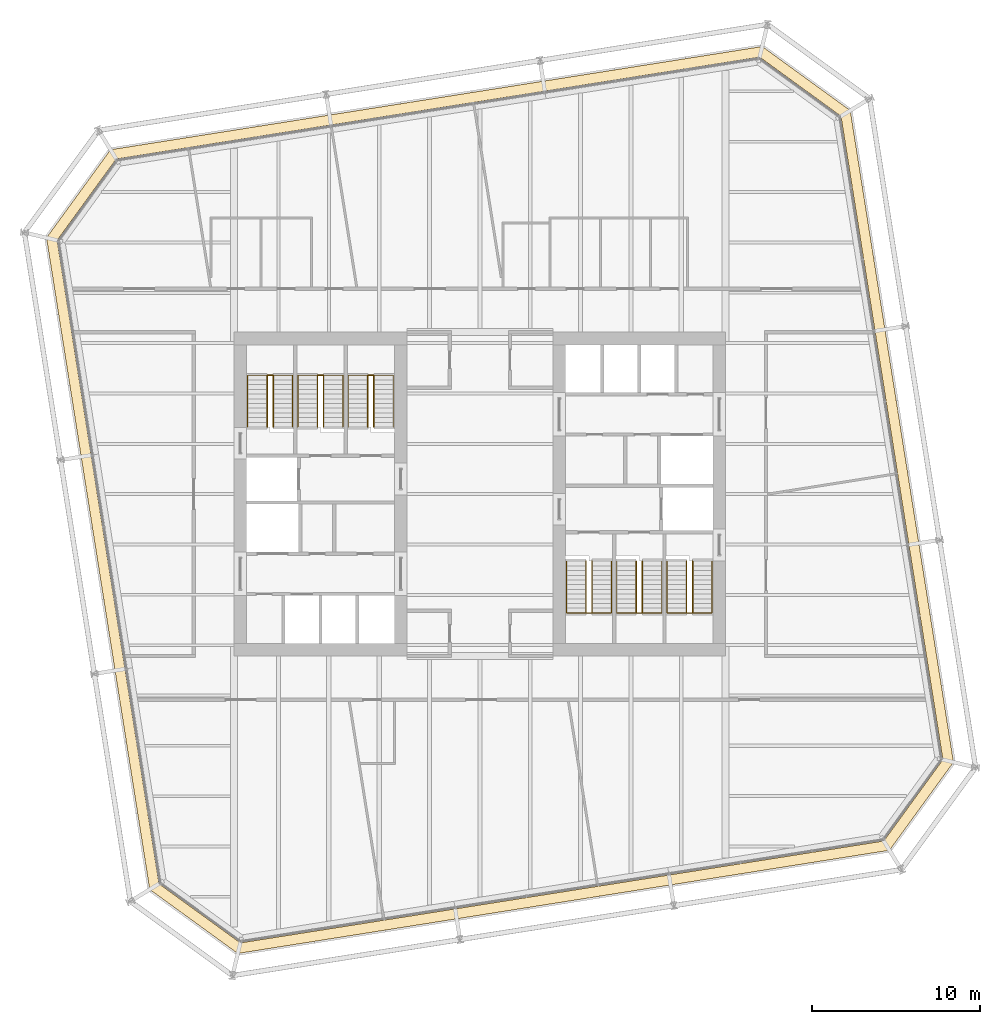
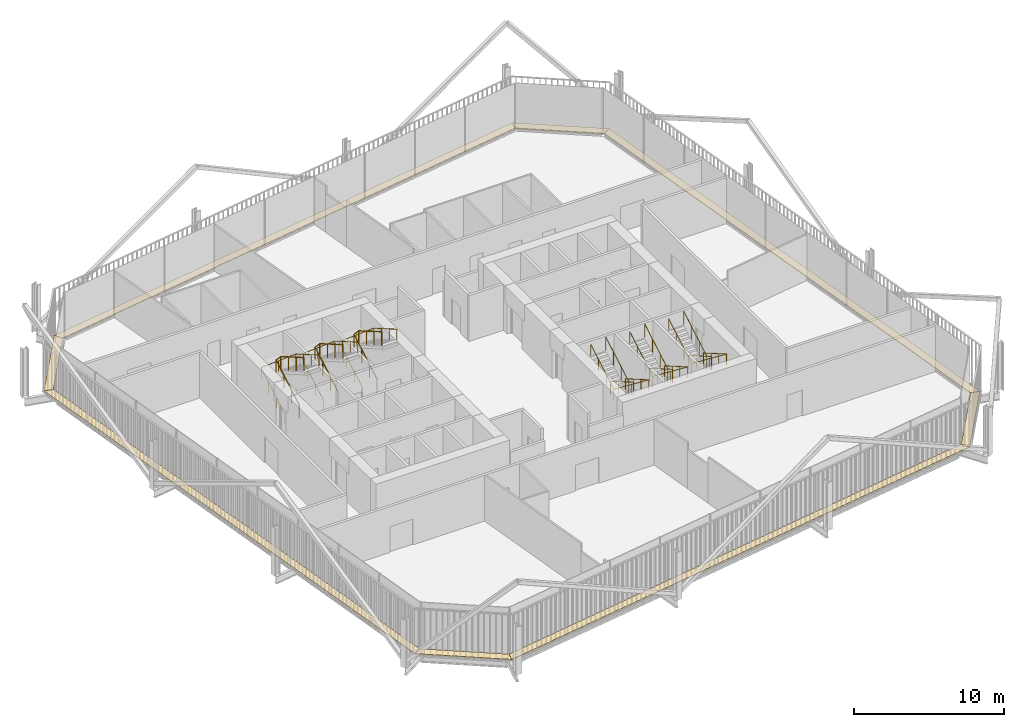
# One storey, part 22 of 22: 12 railings, 8 coverings.
"""IFC4 building model written with IfcOpenShell, lengths in metres."""

from ifc_helpers import new_model, si_unit, direction, frame, origin, origin_2d, place, context, subcontext, project, spatial, polyline, circle, outline, extrude, material, layer, layer_set, type_object, element, save


model = new_model("IFC4")

# Units and contexts
model_context = context("Model", 3, precision=1e-05, world=origin(), true_north=direction((0.0, 1.0)))
body_context = subcontext(model_context, "Body", "Model", "MODEL_VIEW")
ifc_project = project(units=[si_unit("LENGTHUNIT", "METRE"), si_unit("AREAUNIT", "SQUARE_METRE"), si_unit("VOLUMEUNIT", "CUBIC_METRE"), si_unit("PLANEANGLEUNIT", "RADIAN"), si_unit("MASSUNIT", "GRAM", prefix="KILO")], contexts=[model_context])

# Site, building, storey
site_placement = place(None, origin())
site = spatial("IfcSite", under=ifc_project, at=site_placement, CompositionType="ELEMENT")
building_placement = place(site_placement, origin())
building = spatial("IfcBuilding", under=site, at=building_placement, Name="Millrace Tower", CompositionType="ELEMENT")
storey_placement = place(building_placement, frame((0.0, 0.0, 180.0)))
storey = spatial("IfcBuildingStorey", under=building, at=storey_placement, Name="L40", CompositionType="ELEMENT", Elevation=180.0)

# Coverings
ifc_material_1 = material(Name="Steel ASTM A36", Category="steel")
ifc_layer = layer(ifc_material_1, 0.050048828125)
ifc_layer_set = layer_set([ifc_layer], Name="Steel ASTM A36")
covering_type = type_object("IfcCoveringType", Name="CAVITY CATWALK steel grating", PredefinedType="FLOORING", material=ifc_layer_set)
placement = place(storey_placement, frame((0.0, 0.0, 0.10009765625)))
element("IfcCovering", 1, at=placement, inside=storey, type_object=covering_type, Name="Cavity catwalk grating C-F01 L40 1", PredefinedType="FLOORING", context=body_context, shape_type="SweptSolid", body=[
    extrude(outline(polyline([(-19.67578125, -23.562255859375), (-14.425048828125, -27.376953125), (-14.2734375, -26.74560546875), (-19.1220703125, -23.222900390625), (-19.67578125, -23.562255859375)])), origin(), (0.0, 0.0, 1.0), 0.0498046875),
])
element("IfcCovering", 2, at=placement, inside=storey, type_object=covering_type, Name="Cavity catwalk grating C-F02 L40 1", PredefinedType="FLOORING", context=body_context, shape_type="SweptSolid", body=[
    extrude(outline(polyline([(-14.425048828125, -27.376953125), (24.412109375, -21.225830078125), (24.07275390625, -20.672119140625), (-14.2734375, -26.74560546875), (-14.425048828125, -27.376953125)])), origin(), (0.0, 0.0, 1.0), 0.0498046875),
])
element("IfcCovering", 3, at=placement, inside=storey, type_object=covering_type, Name="Cavity catwalk grating C-F03 L40 1", PredefinedType="FLOORING", context=body_context, shape_type="SweptSolid", body=[
    extrude(outline(polyline([(24.412109375, -21.225830078125), (28.22705078125, -15.97509765625), (27.595458984375, -15.823486328125), (24.07275390625, -20.672119140625), (24.412109375, -21.225830078125)])), origin(), (0.0, 0.0, 1.0), 0.0498046875),
])
element("IfcCovering", 4, at=placement, inside=storey, type_object=covering_type, Name="Cavity catwalk grating C-F04 L40 1", PredefinedType="FLOORING", context=body_context, shape_type="SweptSolid", body=[
    extrude(outline(polyline([(28.22705078125, -15.97509765625), (22.075927734375, 22.862060546875), (21.522216796875, 22.522705078125), (27.595458984375, -15.823486328125), (28.22705078125, -15.97509765625)])), origin(), (0.0, 0.0, 1.0), 0.0498046875),
])
element("IfcCovering", 5, at=placement, inside=storey, type_object=covering_type, Name="Cavity catwalk grating C-F05 L40 1", PredefinedType="FLOORING", context=body_context, shape_type="SweptSolid", body=[
    extrude(outline(polyline([(22.075927734375, 22.862060546875), (16.824951171875, 26.677001953125), (16.67333984375, 26.045654296875), (21.522216796875, 22.522705078125), (22.075927734375, 22.862060546875)])), origin(), (0.0, 0.0, 1.0), 0.0498046875),
])
element("IfcCovering", 6, at=placement, inside=storey, type_object=covering_type, Name="Cavity catwalk grating C-F06 L40 1", PredefinedType="FLOORING", context=body_context, shape_type="SweptSolid", body=[
    extrude(outline(polyline([(16.824951171875, 26.677001953125), (-22.01220703125, 20.52587890625), (-21.6728515625, 19.97216796875), (16.67333984375, 26.045654296875), (16.824951171875, 26.677001953125)])), origin(), (0.0, 0.0, 1.0), 0.0498046875),
])
element("IfcCovering", 7, at=placement, inside=storey, type_object=covering_type, Name="Cavity catwalk grating C-F07 L40 1", PredefinedType="FLOORING", context=body_context, shape_type="SweptSolid", body=[
    extrude(outline(polyline([(-22.01220703125, 20.52587890625), (-25.8271484375, 15.275146484375), (-25.195556640625, 15.12353515625), (-21.6728515625, 19.97216796875), (-22.01220703125, 20.52587890625)])), origin(), (0.0, 0.0, 1.0), 0.0498046875),
])
element("IfcCovering", 8, at=placement, inside=storey, type_object=covering_type, Name="Cavity catwalk grating C-F08 L40 1", PredefinedType="FLOORING", context=body_context, shape_type="SweptSolid", body=[
    extrude(outline(polyline([(-25.8271484375, 15.275146484375), (-19.67578125, -23.562255859375), (-19.1220703125, -23.222900390625), (-25.195556640625, 15.12353515625), (-25.8271484375, 15.275146484375)])), origin(), (0.0, 0.0, 1.0), 0.0498046875),
])

# Railings
ifc_material_2 = material(Name="Stainless steel ASTM A240 type 316", Category="steel")
railing_type_1 = type_object("IfcRailingType", Name="Stair guard 1100", PredefinedType="GUARDRAIL", material=ifc_material_2)
for number, where, name in (
    (9, (-12.679931640625, 4.0, 0.16259765625), "Stair guard 1 W L40"),
    (10, (-9.679931640625, 4.0, 0.16259765625), "Stair guard 2 W L40"),
    (11, (-6.679931640625, 4.0, 0.16259765625), "Stair guard 3 W L40"),
):
    element("IfcRailing", number, at=place(storey_placement, frame(where)), inside=storey, type_object=railing_type_1, Name=name, PredefinedType="GUARDRAIL", context=body_context, shape_type="SweptSolid", body=[
        extrude(circle(Radius=0.02392578125, at=origin_2d()), frame((0.0, 0.0, 1.076171875), z_axis=(0.0, 0.864920483161, 0.501908913857), x_axis=(-1.0, 0.0, 0.0)), (0.0, 0.0, 1.0), 3.56103515625),
        extrude(circle(Radius=0.02392578125, at=origin_2d()), frame((0.0, 3.080078125, 2.86328125), z_axis=(0.911295775139, 0.0, 0.411752365158), x_axis=(0.0, 1.0, 0.0)), (0.0, 0.0, 1.0), 0.394775390625),
        extrude(circle(Radius=0.02392578125, at=origin_2d()), frame((0.35986328125, 3.080078125, 3.02587890625), z_axis=(0.0, -0.864920483161, 0.501908913857), x_axis=(1.0, 0.0, 0.0)), (0.0, 0.0, 1.0), 3.56103515625),
        extrude(circle(Radius=0.02099609375, at=origin_2d()), origin(), (0.0, 0.0, 1.0), 1.052001953125),
        extrude(circle(Radius=0.02099609375, at=origin_2d()), frame((0.0, 1.026611328125, 0.595703125)), (0.0, 0.0, 1.0), 1.052001953125),
        extrude(circle(Radius=0.02099609375, at=origin_2d()), frame((0.0, 2.053466796875, 1.191650390625)), (0.0, 0.0, 1.0), 1.052001953125),
        extrude(circle(Radius=0.02099609375, at=origin_2d()), frame((0.0, 3.080078125, 1.787353515625)), (0.0, 0.0, 1.0), 1.052001953125),
        extrude(circle(Radius=0.02099609375, at=origin_2d()), frame((0.35986328125, 3.080078125, 1.949951171875)), (0.0, 0.0, 1.0), 1.052001953125),
        extrude(circle(Radius=0.02099609375, at=origin_2d()), frame((0.35986328125, 2.053466796875, 2.545654296875)), (0.0, 0.0, 1.0), 1.052001953125),
        extrude(circle(Radius=0.02099609375, at=origin_2d()), frame((0.35986328125, 1.026611328125, 3.1416015625)), (0.0, 0.0, 1.0), 1.052001953125),
        extrude(circle(Radius=0.02099609375, at=origin_2d()), frame((0.35986328125, 0.0, 3.7373046875)), (0.0, 0.0, 1.0), 1.052001953125),
    ])
for number, where, name in (
    (12, (12.679931640625, -4.0, 0.16259765625), "Stair guard 1 E L40"),
    (13, (9.679931640625, -4.0, 0.16259765625), "Stair guard 2 E L40"),
    (14, (6.679931640625, -4.0, 0.16259765625), "Stair guard 3 E L40"),
):
    element("IfcRailing", number, at=place(storey_placement, frame(where)), inside=storey, type_object=railing_type_1, Name=name, PredefinedType="GUARDRAIL", context=body_context, shape_type="SweptSolid", body=[
        extrude(circle(Radius=0.02392578125, at=origin_2d()), frame((0.0, 0.0, 1.076171875), z_axis=(0.0, -0.864920483161, 0.501908913857), x_axis=(1.0, 0.0, 0.0)), (0.0, 0.0, 1.0), 3.56103515625),
        extrude(circle(Radius=0.02392578125, at=origin_2d()), frame((0.0, -3.080078125, 2.86328125), z_axis=(-0.911295775139, 0.0, 0.411752365158), x_axis=(0.0, -1.0, 0.0)), (0.0, 0.0, 1.0), 0.394775390625),
        extrude(circle(Radius=0.02392578125, at=origin_2d()), frame((-0.35986328125, -3.080078125, 3.02587890625), z_axis=(0.0, 0.864920483161, 0.501908913857), x_axis=(-1.0, 0.0, 0.0)), (0.0, 0.0, 1.0), 3.56103515625),
        extrude(circle(Radius=0.02099609375, at=origin_2d()), origin(), (0.0, 0.0, 1.0), 1.052001953125),
        extrude(circle(Radius=0.02099609375, at=origin_2d()), frame((0.0, -1.026611328125, 0.595703125)), (0.0, 0.0, 1.0), 1.052001953125),
        extrude(circle(Radius=0.02099609375, at=origin_2d()), frame((0.0, -2.053466796875, 1.191650390625)), (0.0, 0.0, 1.0), 1.052001953125),
        extrude(circle(Radius=0.02099609375, at=origin_2d()), frame((0.0, -3.080078125, 1.787353515625)), (0.0, 0.0, 1.0), 1.052001953125),
        extrude(circle(Radius=0.02099609375, at=origin_2d()), frame((-0.35986328125, -3.080078125, 1.949951171875)), (0.0, 0.0, 1.0), 1.052001953125),
        extrude(circle(Radius=0.02099609375, at=origin_2d()), frame((-0.35986328125, -2.053466796875, 2.545654296875)), (0.0, 0.0, 1.0), 1.052001953125),
        extrude(circle(Radius=0.02099609375, at=origin_2d()), frame((-0.35986328125, -1.026611328125, 3.1416015625)), (0.0, 0.0, 1.0), 1.052001953125),
        extrude(circle(Radius=0.02099609375, at=origin_2d()), frame((-0.35986328125, 0.0, 3.7373046875)), (0.0, 0.0, 1.0), 1.052001953125),
    ])
ifc_material_3 = material(Name="Stainless steel ASTM A240 type 316", Category="steel")
railing_type_2 = type_object("IfcRailingType", Name="Stair handrail 900", PredefinedType="HANDRAIL", material=ifc_material_3)
railing_1_placement = place(storey_placement, frame((-13.840087890625, 4.0, 0.16259765625)))
element("IfcRailing", 15, at=railing_1_placement, inside=storey, type_object=railing_type_2, Name="Stair handrail 1 W L40", PredefinedType="HANDRAIL", context=body_context, shape_type="SweptSolid", body=[
    extrude(circle(Radius=0.02392578125, at=origin_2d()), frame((0.0, 0.0, 0.8759765625), z_axis=(0.0, 0.864920483161, 0.501908913857), x_axis=(-1.0, 0.0, 0.0)), (0.0, 0.0, 1.0), 3.56103515625),
    extrude(circle(Radius=0.02392578125, at=origin_2d()), frame((0.0, 3.080078125, 2.6630859375), z_axis=(0.998164834547, 0.0, 0.060555454528), x_axis=(0.0, 1.0, 0.0)), (0.0, 0.0, 1.0), 2.68505859375),
    extrude(circle(Radius=0.02392578125, at=origin_2d()), frame((2.68017578125, 3.080078125, 2.82568359375), z_axis=(0.0, -0.864920483161, 0.501908913857), x_axis=(1.0, 0.0, 0.0)), (0.0, 0.0, 1.0), 3.56103515625),
    extrude(circle(Radius=0.02099609375, at=origin_2d()), origin(), (0.0, 0.0, 1.0), 0.851806640625),
    extrude(circle(Radius=0.02099609375, at=origin_2d()), frame((0.0, 1.026611328125, 0.595703125)), (0.0, 0.0, 1.0), 0.851806640625),
    extrude(circle(Radius=0.02099609375, at=origin_2d()), frame((0.0, 2.053466796875, 1.191650390625)), (0.0, 0.0, 1.0), 0.851806640625),
    extrude(circle(Radius=0.02099609375, at=origin_2d()), frame((0.0, 3.080078125, 1.787353515625)), (0.0, 0.0, 1.0), 0.851806640625),
    extrude(circle(Radius=0.02099609375, at=origin_2d()), frame((1.340087890625, 3.080078125, 1.86865234375)), (0.0, 0.0, 1.0), 0.851806640625),
    extrude(circle(Radius=0.02099609375, at=origin_2d()), frame((2.68017578125, 3.080078125, 1.949951171875)), (0.0, 0.0, 1.0), 0.851806640625),
    extrude(circle(Radius=0.02099609375, at=origin_2d()), frame((2.68017578125, 2.053466796875, 2.545654296875)), (0.0, 0.0, 1.0), 0.851806640625),
    extrude(circle(Radius=0.02099609375, at=origin_2d()), frame((2.68017578125, 1.026611328125, 3.1416015625)), (0.0, 0.0, 1.0), 0.851806640625),
    extrude(circle(Radius=0.02099609375, at=origin_2d()), frame((2.68017578125, 0.0, 3.7373046875)), (0.0, 0.0, 1.0), 0.851806640625),
])
railing_2_placement = place(storey_placement, frame((-10.840087890625, 4.0, 0.16259765625)))
element("IfcRailing", 16, at=railing_2_placement, inside=storey, type_object=railing_type_2, Name="Stair handrail 2 W L40", PredefinedType="HANDRAIL", context=body_context, shape_type="SweptSolid", body=[
    extrude(circle(Radius=0.02392578125, at=origin_2d()), frame((0.0, 0.0, 0.8759765625), z_axis=(0.0, 0.864920483161, 0.501908913857), x_axis=(-1.0, 0.0, 0.0)), (0.0, 0.0, 1.0), 3.56103515625),
    extrude(circle(Radius=0.02392578125, at=origin_2d()), frame((0.0, 3.080078125, 2.6630859375), z_axis=(0.998164834547, 0.0, 0.060555454528), x_axis=(0.0, 1.0, 0.0)), (0.0, 0.0, 1.0), 2.68505859375),
    extrude(circle(Radius=0.02392578125, at=origin_2d()), frame((2.68017578125, 3.080078125, 2.82568359375), z_axis=(0.0, -0.864920483161, 0.501908913857), x_axis=(1.0, 0.0, 0.0)), (0.0, 0.0, 1.0), 3.56103515625),
    extrude(circle(Radius=0.02099609375, at=origin_2d()), origin(), (0.0, 0.0, 1.0), 0.851806640625),
    extrude(circle(Radius=0.02099609375, at=origin_2d()), frame((0.0, 1.026611328125, 0.595703125)), (0.0, 0.0, 1.0), 0.851806640625),
    extrude(circle(Radius=0.02099609375, at=origin_2d()), frame((0.0, 2.053466796875, 1.191650390625)), (0.0, 0.0, 1.0), 0.851806640625),
    extrude(circle(Radius=0.02099609375, at=origin_2d()), frame((0.0, 3.080078125, 1.787353515625)), (0.0, 0.0, 1.0), 0.851806640625),
    extrude(circle(Radius=0.02099609375, at=origin_2d()), frame((1.340087890625, 3.080078125, 1.86865234375)), (0.0, 0.0, 1.0), 0.851806640625),
    extrude(circle(Radius=0.02099609375, at=origin_2d()), frame((2.68017578125, 3.080078125, 1.949951171875)), (0.0, 0.0, 1.0), 0.851806640625),
    extrude(circle(Radius=0.02099609375, at=origin_2d()), frame((2.68017578125, 2.053466796875, 2.545654296875)), (0.0, 0.0, 1.0), 0.851806640625),
    extrude(circle(Radius=0.02099609375, at=origin_2d()), frame((2.68017578125, 1.026611328125, 3.1416015625)), (0.0, 0.0, 1.0), 0.851806640625),
    extrude(circle(Radius=0.02099609375, at=origin_2d()), frame((2.68017578125, 0.0, 3.7373046875)), (0.0, 0.0, 1.0), 0.851806640625),
])
railing_3_placement = place(storey_placement, frame((-7.840087890625, 4.0, 0.16259765625)))
element("IfcRailing", 17, at=railing_3_placement, inside=storey, type_object=railing_type_2, Name="Stair handrail 3 W L40", PredefinedType="HANDRAIL", context=body_context, shape_type="SweptSolid", body=[
    extrude(circle(Radius=0.02392578125, at=origin_2d()), frame((0.0, 0.0, 0.8759765625), z_axis=(0.0, 0.864920483161, 0.501908913857), x_axis=(-1.0, 0.0, 0.0)), (0.0, 0.0, 1.0), 3.56103515625),
    extrude(circle(Radius=0.02392578125, at=origin_2d()), frame((0.0, 3.080078125, 2.6630859375), z_axis=(0.998164834547, 0.0, 0.060555454528), x_axis=(0.0, 1.0, 0.0)), (0.0, 0.0, 1.0), 2.68505859375),
    extrude(circle(Radius=0.02392578125, at=origin_2d()), frame((2.68017578125, 3.080078125, 2.82568359375), z_axis=(0.0, -0.864920483161, 0.501908913857), x_axis=(1.0, 0.0, 0.0)), (0.0, 0.0, 1.0), 3.56103515625),
    extrude(circle(Radius=0.02099609375, at=origin_2d()), origin(), (0.0, 0.0, 1.0), 0.851806640625),
    extrude(circle(Radius=0.02099609375, at=origin_2d()), frame((0.0, 1.026611328125, 0.595703125)), (0.0, 0.0, 1.0), 0.851806640625),
    extrude(circle(Radius=0.02099609375, at=origin_2d()), frame((0.0, 2.053466796875, 1.191650390625)), (0.0, 0.0, 1.0), 0.851806640625),
    extrude(circle(Radius=0.02099609375, at=origin_2d()), frame((0.0, 3.080078125, 1.787353515625)), (0.0, 0.0, 1.0), 0.851806640625),
    extrude(circle(Radius=0.02099609375, at=origin_2d()), frame((1.340087890625, 3.080078125, 1.86865234375)), (0.0, 0.0, 1.0), 0.851806640625),
    extrude(circle(Radius=0.02099609375, at=origin_2d()), frame((2.68017578125, 3.080078125, 1.949951171875)), (0.0, 0.0, 1.0), 0.851806640625),
    extrude(circle(Radius=0.02099609375, at=origin_2d()), frame((2.68017578125, 2.053466796875, 2.545654296875)), (0.0, 0.0, 1.0), 0.851806640625),
    extrude(circle(Radius=0.02099609375, at=origin_2d()), frame((2.68017578125, 1.026611328125, 3.1416015625)), (0.0, 0.0, 1.0), 0.851806640625),
    extrude(circle(Radius=0.02099609375, at=origin_2d()), frame((2.68017578125, 0.0, 3.7373046875)), (0.0, 0.0, 1.0), 0.851806640625),
])
railing_4_placement = place(storey_placement, frame((13.840087890625, -4.0, 0.16259765625)))
element("IfcRailing", 18, at=railing_4_placement, inside=storey, type_object=railing_type_2, Name="Stair handrail 1 E L40", PredefinedType="HANDRAIL", context=body_context, shape_type="SweptSolid", body=[
    extrude(circle(Radius=0.02392578125, at=origin_2d()), frame((0.0, 0.0, 0.8759765625), z_axis=(0.0, -0.864920483161, 0.501908913857), x_axis=(1.0, 0.0, 0.0)), (0.0, 0.0, 1.0), 3.56103515625),
    extrude(circle(Radius=0.02392578125, at=origin_2d()), frame((0.0, -3.080078125, 2.6630859375), z_axis=(-0.998164834547, 0.0, 0.060555454528), x_axis=(0.0, -1.0, 0.0)), (0.0, 0.0, 1.0), 2.68505859375),
    extrude(circle(Radius=0.02392578125, at=origin_2d()), frame((-2.68017578125, -3.080078125, 2.82568359375), z_axis=(0.0, 0.864920483161, 0.501908913857), x_axis=(-1.0, 0.0, 0.0)), (0.0, 0.0, 1.0), 3.56103515625),
    extrude(circle(Radius=0.02099609375, at=origin_2d()), origin(), (0.0, 0.0, 1.0), 0.851806640625),
    extrude(circle(Radius=0.02099609375, at=origin_2d()), frame((0.0, -1.026611328125, 0.595703125)), (0.0, 0.0, 1.0), 0.851806640625),
    extrude(circle(Radius=0.02099609375, at=origin_2d()), frame((0.0, -2.053466796875, 1.191650390625)), (0.0, 0.0, 1.0), 0.851806640625),
    extrude(circle(Radius=0.02099609375, at=origin_2d()), frame((0.0, -3.080078125, 1.787353515625)), (0.0, 0.0, 1.0), 0.851806640625),
    extrude(circle(Radius=0.02099609375, at=origin_2d()), frame((-1.340087890625, -3.080078125, 1.86865234375)), (0.0, 0.0, 1.0), 0.851806640625),
    extrude(circle(Radius=0.02099609375, at=origin_2d()), frame((-2.68017578125, -3.080078125, 1.949951171875)), (0.0, 0.0, 1.0), 0.851806640625),
    extrude(circle(Radius=0.02099609375, at=origin_2d()), frame((-2.68017578125, -2.053466796875, 2.545654296875)), (0.0, 0.0, 1.0), 0.851806640625),
    extrude(circle(Radius=0.02099609375, at=origin_2d()), frame((-2.68017578125, -1.026611328125, 3.1416015625)), (0.0, 0.0, 1.0), 0.851806640625),
    extrude(circle(Radius=0.02099609375, at=origin_2d()), frame((-2.68017578125, 0.0, 3.7373046875)), (0.0, 0.0, 1.0), 0.851806640625),
])
railing_5_placement = place(storey_placement, frame((10.840087890625, -4.0, 0.16259765625)))
element("IfcRailing", 19, at=railing_5_placement, inside=storey, type_object=railing_type_2, Name="Stair handrail 2 E L40", PredefinedType="HANDRAIL", context=body_context, shape_type="SweptSolid", body=[
    extrude(circle(Radius=0.02392578125, at=origin_2d()), frame((0.0, 0.0, 0.8759765625), z_axis=(0.0, -0.864920483161, 0.501908913857), x_axis=(1.0, 0.0, 0.0)), (0.0, 0.0, 1.0), 3.56103515625),
    extrude(circle(Radius=0.02392578125, at=origin_2d()), frame((0.0, -3.080078125, 2.6630859375), z_axis=(-0.998164834547, 0.0, 0.060555454528), x_axis=(0.0, -1.0, 0.0)), (0.0, 0.0, 1.0), 2.68505859375),
    extrude(circle(Radius=0.02392578125, at=origin_2d()), frame((-2.68017578125, -3.080078125, 2.82568359375), z_axis=(0.0, 0.864920483161, 0.501908913857), x_axis=(-1.0, 0.0, 0.0)), (0.0, 0.0, 1.0), 3.56103515625),
    extrude(circle(Radius=0.02099609375, at=origin_2d()), origin(), (0.0, 0.0, 1.0), 0.851806640625),
    extrude(circle(Radius=0.02099609375, at=origin_2d()), frame((0.0, -1.026611328125, 0.595703125)), (0.0, 0.0, 1.0), 0.851806640625),
    extrude(circle(Radius=0.02099609375, at=origin_2d()), frame((0.0, -2.053466796875, 1.191650390625)), (0.0, 0.0, 1.0), 0.851806640625),
    extrude(circle(Radius=0.02099609375, at=origin_2d()), frame((0.0, -3.080078125, 1.787353515625)), (0.0, 0.0, 1.0), 0.851806640625),
    extrude(circle(Radius=0.02099609375, at=origin_2d()), frame((-1.340087890625, -3.080078125, 1.86865234375)), (0.0, 0.0, 1.0), 0.851806640625),
    extrude(circle(Radius=0.02099609375, at=origin_2d()), frame((-2.68017578125, -3.080078125, 1.949951171875)), (0.0, 0.0, 1.0), 0.851806640625),
    extrude(circle(Radius=0.02099609375, at=origin_2d()), frame((-2.68017578125, -2.053466796875, 2.545654296875)), (0.0, 0.0, 1.0), 0.851806640625),
    extrude(circle(Radius=0.02099609375, at=origin_2d()), frame((-2.68017578125, -1.026611328125, 3.1416015625)), (0.0, 0.0, 1.0), 0.851806640625),
    extrude(circle(Radius=0.02099609375, at=origin_2d()), frame((-2.68017578125, 0.0, 3.7373046875)), (0.0, 0.0, 1.0), 0.851806640625),
])
railing_6_placement = place(storey_placement, frame((7.840087890625, -4.0, 0.16259765625)))
element("IfcRailing", 20, at=railing_6_placement, inside=storey, type_object=railing_type_2, Name="Stair handrail 3 E L40", PredefinedType="HANDRAIL", context=body_context, shape_type="SweptSolid", body=[
    extrude(circle(Radius=0.02392578125, at=origin_2d()), frame((0.0, 0.0, 0.8759765625), z_axis=(0.0, -0.864920483161, 0.501908913857), x_axis=(1.0, 0.0, 0.0)), (0.0, 0.0, 1.0), 3.56103515625),
    extrude(circle(Radius=0.02392578125, at=origin_2d()), frame((0.0, -3.080078125, 2.6630859375), z_axis=(-0.998164834547, 0.0, 0.060555454528), x_axis=(0.0, -1.0, 0.0)), (0.0, 0.0, 1.0), 2.68505859375),
    extrude(circle(Radius=0.02392578125, at=origin_2d()), frame((-2.68017578125, -3.080078125, 2.82568359375), z_axis=(0.0, 0.864920483161, 0.501908913857), x_axis=(-1.0, 0.0, 0.0)), (0.0, 0.0, 1.0), 3.56103515625),
    extrude(circle(Radius=0.02099609375, at=origin_2d()), origin(), (0.0, 0.0, 1.0), 0.851806640625),
    extrude(circle(Radius=0.02099609375, at=origin_2d()), frame((0.0, -1.026611328125, 0.595703125)), (0.0, 0.0, 1.0), 0.851806640625),
    extrude(circle(Radius=0.02099609375, at=origin_2d()), frame((0.0, -2.053466796875, 1.191650390625)), (0.0, 0.0, 1.0), 0.851806640625),
    extrude(circle(Radius=0.02099609375, at=origin_2d()), frame((0.0, -3.080078125, 1.787353515625)), (0.0, 0.0, 1.0), 0.851806640625),
    extrude(circle(Radius=0.02099609375, at=origin_2d()), frame((-1.340087890625, -3.080078125, 1.86865234375)), (0.0, 0.0, 1.0), 0.851806640625),
    extrude(circle(Radius=0.02099609375, at=origin_2d()), frame((-2.68017578125, -3.080078125, 1.949951171875)), (0.0, 0.0, 1.0), 0.851806640625),
    extrude(circle(Radius=0.02099609375, at=origin_2d()), frame((-2.68017578125, -2.053466796875, 2.545654296875)), (0.0, 0.0, 1.0), 0.851806640625),
    extrude(circle(Radius=0.02099609375, at=origin_2d()), frame((-2.68017578125, -1.026611328125, 3.1416015625)), (0.0, 0.0, 1.0), 0.851806640625),
    extrude(circle(Radius=0.02099609375, at=origin_2d()), frame((-2.68017578125, 0.0, 3.7373046875)), (0.0, 0.0, 1.0), 0.851806640625),
])

save(model, "model.ifc")
